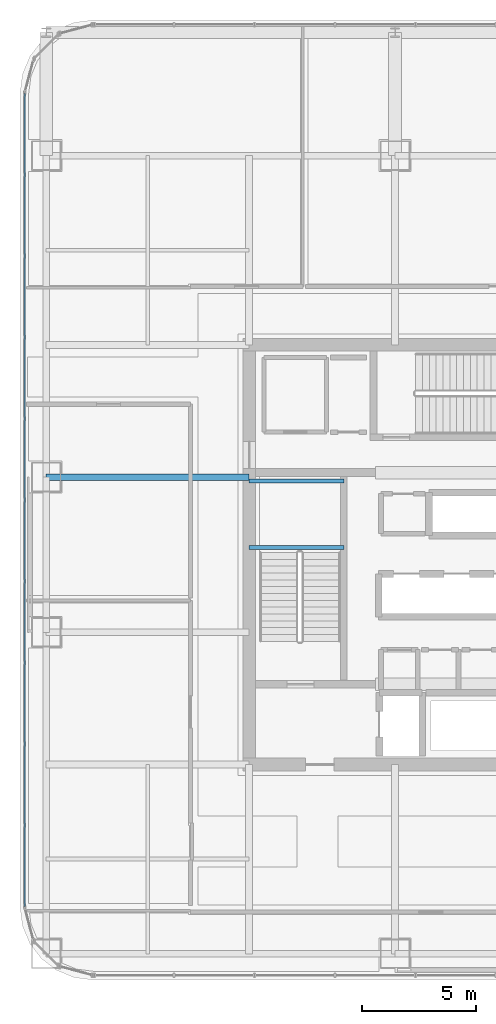
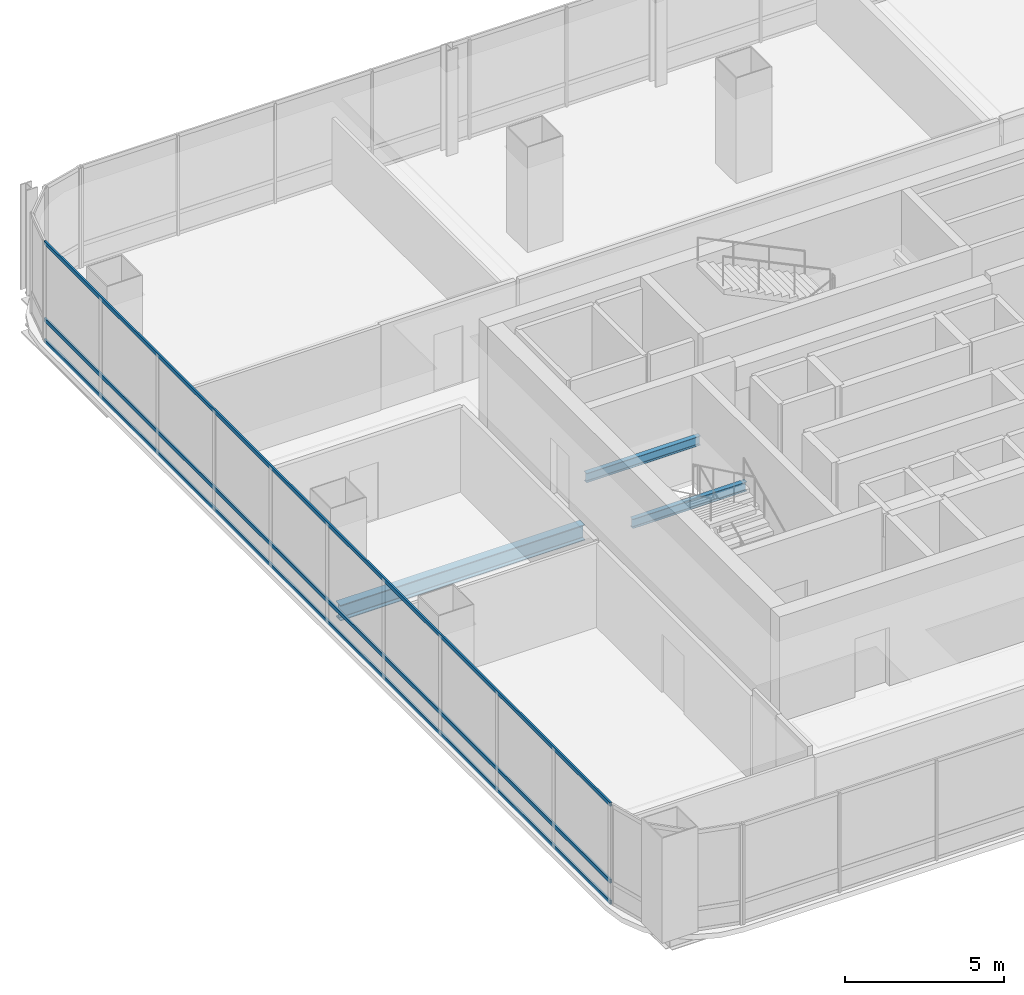
# One storey, part 11 of 40: 3 beams, 3 members, 1 element without a shape of its own.
"""IFC4 building model written with IfcOpenShell, lengths in metres."""

from ifc_helpers import new_model, si_unit, direction, frame, origin, origin_2d, place, context, subcontext, project, spatial, hollow_rectangle, i_section, extrude, material, material_profile, profile_set, type_object, element, aggregate, save


model = new_model("IFC4")

# Units and contexts
model_context = context("Model", 3, precision=1e-05, world=origin(), true_north=direction((0.0, 1.0)))
body_context = subcontext(model_context, "Body", "Model", "MODEL_VIEW")
ifc_project = project(units=[si_unit("LENGTHUNIT", "METRE"), si_unit("AREAUNIT", "SQUARE_METRE"), si_unit("VOLUMEUNIT", "CUBIC_METRE"), si_unit("PLANEANGLEUNIT", "RADIAN"), si_unit("MASSUNIT", "GRAM", prefix="KILO")], contexts=[model_context])

# Site, building, storey
site_placement = place(None, origin())
site = spatial("IfcSite", under=ifc_project, at=site_placement, CompositionType="ELEMENT")
building_placement = place(site_placement, origin())
building = spatial("IfcBuilding", under=site, at=building_placement, Name="Punatoya Terracotta Tower", CompositionType="ELEMENT")
storey_placement = place(building_placement, frame((0.0, 0.0, 271.64990234375)))
storey = spatial("IfcBuildingStorey", under=building, at=storey_placement, Name="L64", CompositionType="ELEMENT", Elevation=271.64990234375)

# Beams
ifc_material_1 = material(Name="Steel S355", Category="steel")
ifc_material_profile_1 = material_profile(ifc_material_1, i_section(OverallWidth=0.300048828125, OverallDepth=0.60009765625, WebThickness=0.015380859375, FlangeThickness=0.030029296875, FilletRadius=0.01806640625, at=origin_2d()))
ifc_profile_set_1 = profile_set([ifc_material_profile_1], Name="Steel S355")
beam_type_1 = type_object("IfcBeamType", Name="BM-PRI-600", PredefinedType="BEAM", material=ifc_profile_set_1)
beam_placement = place(storey_placement, frame((-19.10009765625, 3.39990234375, -0.5), z_axis=(1.0, 0.0, 0.0), x_axis=(0.0, 1.0, 0.0)))
element("IfcBeam", 1, at=beam_placement, inside=storey, type_object=beam_type_1, Name="BM-L64-PR-WE", PredefinedType="BEAM", context=body_context, shape_type="SweptSolid", body=[
    extrude(i_section(OverallWidth=0.300048828125, OverallDepth=0.60009765625, WebThickness=0.015380859375, FlangeThickness=0.030029296875, FilletRadius=0.01806640625, at=origin_2d()), origin(), (0.0, 0.0, 1.0), 8.900146484375),
])
ifc_material_profile_2 = material_profile(ifc_material_1, i_section(OverallWidth=0.169921875, OverallDepth=0.360107421875, WebThickness=0.008056640625, FlangeThickness=0.0126953125, FilletRadius=0.01806640625, at=origin_2d()))
ifc_profile_set_2 = profile_set([ifc_material_profile_2], Name="Steel S355")
beam_type_2 = type_object("IfcBeamType", Name="BM-SEC-360", PredefinedType="JOIST", material=ifc_profile_set_2)
for number, where, z_axis, x_axis, name in (
    (2, (-10.199951171875, 0.320068359375, 1.64501953125), (1.0, 0.0, 0.0), (0.0, 1.0, 0.0), "BM-L64-ST-1-LD1A"),
    (3, (-10.199951171875, 3.22998046875, 1.64501953125), (1.0, 0.0, 0.0), (0.0, 1.0, 0.0), "BM-L64-ST-1-LD1B"),
):
    element("IfcBeam", number, at=place(storey_placement, frame(where, z_axis=z_axis, x_axis=x_axis)), inside=storey, type_object=beam_type_2, Name=name, PredefinedType="JOIST", context=body_context, shape_type="SweptSolid", body=[
        extrude(i_section(OverallWidth=0.169921875, OverallDepth=0.360107421875, WebThickness=0.008056640625, FlangeThickness=0.0126953125, FilletRadius=0.01806640625, at=origin_2d()), origin(), (0.0, 0.0, 1.0), 4.14990234375),
    ])

# Curtain wall, members
ifc_material_2 = material(Name="Aluminium 6063-T6 + Double Low-E Glass", Category="aluminium")
curtain_wall_type = type_object("IfcCurtainWallType", Name="CW-M3", PredefinedType="NOTDEFINED", material=ifc_material_2)
curtain_wall_placement = place(storey_placement, origin())
curtain_wall = element("IfcCurtainWall", 4, at=curtain_wall_placement, inside=storey, type_object=curtain_wall_type, Name="L64 Curtain Wall CW-L64-W13-1", PredefinedType="NOTDEFINED")
ifc_material_3 = material(Name="Aluminium 6063-T6", Category="aluminium")
ifc_material_profile_3 = material_profile(ifc_material_3, hollow_rectangle(XDim=0.068115234375, YDim=0.14990234375, WallThickness=0.00390625, at=origin_2d()))
ifc_profile_set_3 = profile_set([ifc_material_profile_3], Name="Aluminium 6063-T6")
member_type = type_object("IfcMemberType", Name="CW-TRN-TYP", PredefinedType="USERDEFINED", material=ifc_profile_set_3)
member_1_placement = place(storey_placement, frame((-20.050048828125, 20.23681640625, 0.0400390625), z_axis=(0.0, -1.0, 0.0), x_axis=(1.0, 0.0, 0.0)))
member_1 = element("IfcMember", 5, at=member_1_placement, type_object=member_type, Name="CW-L64-W13-1 Transom 1", ObjectType="TRANSOM", PredefinedType="USERDEFINED", context=body_context, shape_type="SweptSolid", body=[
    extrude(hollow_rectangle(XDim=0.068115234375, YDim=0.14990234375, WallThickness=0.00390625, at=origin_2d()), origin(), (0.0, 0.0, 1.0), 35.673828125),
])
member_2_placement = place(storey_placement, frame((-20.050048828125, 20.23681640625, 0.85009765625), z_axis=(0.0, -1.0, 0.0), x_axis=(1.0, 0.0, 0.0)))
member_2 = element("IfcMember", 6, at=member_2_placement, type_object=member_type, Name="CW-L64-W13-1 Transom 2", ObjectType="TRANSOM", PredefinedType="USERDEFINED", context=body_context, shape_type="SweptSolid", body=[
    extrude(hollow_rectangle(XDim=0.068115234375, YDim=0.14990234375, WallThickness=0.00390625, at=origin_2d()), origin(), (0.0, 0.0, 1.0), 35.673828125),
])
member_3_placement = place(storey_placement, frame((-20.050048828125, 20.23681640625, 3.81005859375), z_axis=(0.0, -1.0, 0.0), x_axis=(1.0, 0.0, 0.0)))
member_3 = element("IfcMember", 7, at=member_3_placement, type_object=member_type, Name="CW-L64-W13-1 Transom 3", ObjectType="TRANSOM", PredefinedType="USERDEFINED", context=body_context, shape_type="SweptSolid", body=[
    extrude(hollow_rectangle(XDim=0.068115234375, YDim=0.14990234375, WallThickness=0.00390625, at=origin_2d()), origin(), (0.0, 0.0, 1.0), 35.673828125),
])
aggregate(curtain_wall, [member_1, member_2, member_3])

save(model, "model.ifc")
